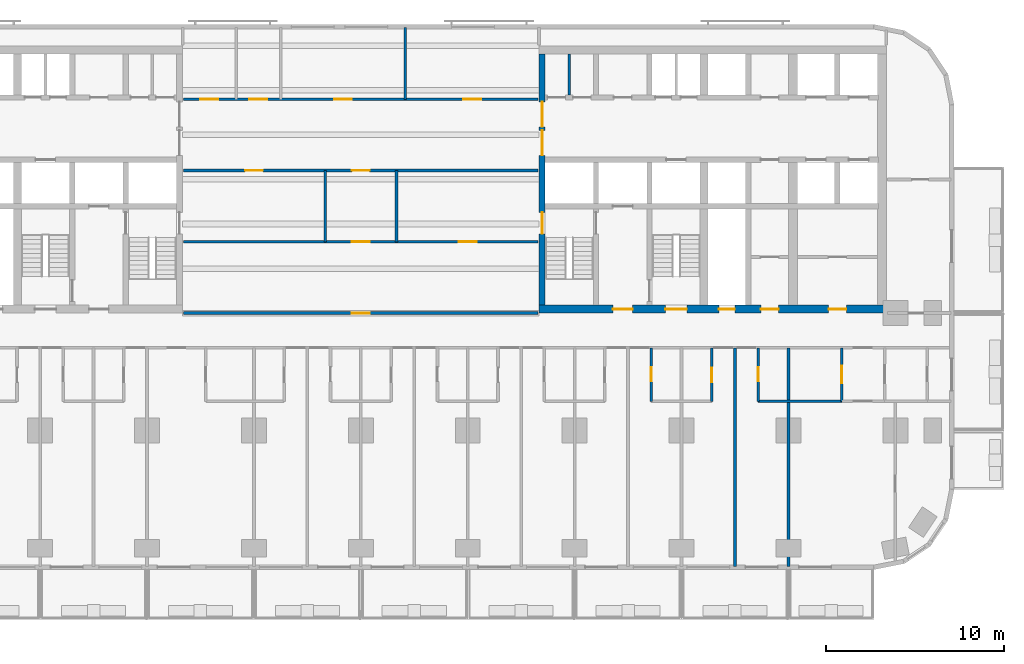
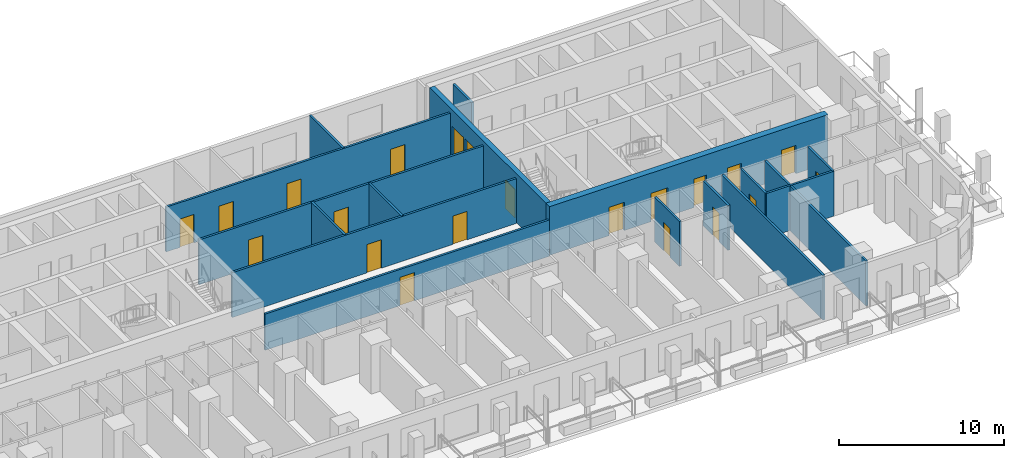
# One storey, part 7 of 15: 21 doors, 17 walls, 21 openings.
"""IFC4 building model written with IfcOpenShell, lengths in metres."""

import ifcopenshell
import ifcopenshell.guid

model = None  # the IFC model being written
_history = None  # IfcOwnerHistory: only IFC2X3 demands one
_inside = {}  # id of a spatial element -> (the spatial element, [elements in it])
_under = {}  # id of a project, library or spatial element -> (it, [spatial elements below it])
_declared = {}  # id of a project -> (the project, [libraries it declares])
_typed = {}  # id of a type object -> (the type object, [elements of that type])
_made_of = {}  # id of a material, layer set ... -> (it, [elements and type objects made of it])


def new_model(schema):
    """Start an empty IFC model of exactly this schema.

    Asked for "IFC4X3", IfcOpenShell would pick the latest addendum, in which some entities
    have other attributes; the version numbers below select the first issue.
    IFC2X3 requires an IfcOwnerHistory on every rooted entity: one is made here for all.
    """
    global model, _history
    if schema == "IFC4X3":
        model = ifcopenshell.file(schema_version=(4, 3, 0, 0))
    else:
        model = ifcopenshell.file(schema=schema)
    _inside.clear()
    _under.clear()
    _declared.clear()
    _typed.clear()
    _made_of.clear()
    _history = None
    if model.schema == "IFC2X3":
        org = make("IfcOrganization", Name="unknown")
        user = make(
            "IfcPersonAndOrganization",
            ThePerson=make("IfcPerson", FamilyName="unknown"),
            TheOrganization=org,
        )
        app = make(
            "IfcApplication",
            ApplicationDeveloper=org,
            Version="unknown",
            ApplicationFullName="unknown",
            ApplicationIdentifier="unknown",
        )
        _history = make(
            "IfcOwnerHistory",
            OwningUser=user,
            OwningApplication=app,
            ChangeAction="ADDED",
            CreationDate=0,
        )
    return model


def make(cls, **values):
    """One entity of the class cls with the attributes given. An attribute that is None is left unset."""
    return model.create_entity(
        cls, **{name: value for name, value in values.items() if value is not None}
    )


def rooted(cls, **values):
    """An entity with a GlobalId (a new one), such as an element, a storey or a relation."""
    return make(cls, GlobalId=ifcopenshell.guid.new(), OwnerHistory=_history, **values)


def si_unit(unit_type, name, prefix=None):
    """IfcSIUnit, for example si_unit("LENGTHUNIT", "METRE", prefix="MILLI")."""
    return make("IfcSIUnit", UnitType=unit_type, Prefix=prefix, Name=name)


def assignment(units):
    """IfcUnitAssignment: the units of a project."""
    return None if units is None else make("IfcUnitAssignment", Units=units)


def point(xyz):
    """IfcCartesianPoint."""
    return None if xyz is None else make("IfcCartesianPoint", Coordinates=xyz)


def direction(xyz):
    """IfcDirection."""
    return None if xyz is None else make("IfcDirection", DirectionRatios=xyz)


def frame(location, z_axis=None, x_axis=None):
    """IfcAxis2Placement3D, a coordinate frame: its origin and axes. An axis left out is left unset."""
    return make(
        "IfcAxis2Placement3D",
        Location=point(location),
        Axis=direction(z_axis),
        RefDirection=direction(x_axis),
    )


def frame_2d(location, x_axis=None):
    """IfcAxis2Placement2D, a coordinate frame in the plane: its origin and x axis."""
    return make(
        "IfcAxis2Placement2D", Location=point(location), RefDirection=direction(x_axis)
    )


def origin():
    """The frame at (0, 0, 0) with its axes left unset."""
    return frame((0.0, 0.0, 0.0))


def place(relative_to, where):
    """IfcLocalPlacement: puts the frame where relative to a parent placement (None: the world)."""
    return make(
        "IfcLocalPlacement", PlacementRelTo=relative_to, RelativePlacement=where
    )


def context(
    kind, dimensions, precision=None, world=None, true_north=None, identifier=None
):
    """IfcGeometricRepresentationContext, for example the 3D "Model" context."""
    return make(
        "IfcGeometricRepresentationContext",
        ContextIdentifier=identifier,
        ContextType=kind,
        CoordinateSpaceDimension=dimensions,
        Precision=precision,
        WorldCoordinateSystem=world,
        TrueNorth=true_north,
    )


def subcontext(parent, identifier, kind, view, scale=None):
    """IfcGeometricRepresentationSubContext, for example "Body" below "Model"."""
    return make(
        "IfcGeometricRepresentationSubContext",
        ContextIdentifier=identifier,
        ContextType=kind,
        ParentContext=parent,
        TargetScale=scale,
        TargetView=view,
    )


def project(units=None, contexts=None):
    """IfcProject with its units and contexts."""
    return rooted(
        "IfcProject",
        Name="project",
        RepresentationContexts=contexts,
        UnitsInContext=assignment(units),
    )


def spatial(cls, under=None, at=None, **own):
    """A site, building, storey or space (cls), placed at a placement, below another one or the project."""
    s = rooted(cls, ObjectPlacement=at, **own)
    if under is not None:
        _under.setdefault(under.id(), (under, []))[1].append(s)
    return s


def profile(cls, at=None, kind="AREA", **sizes):
    """A parametric profile (cls). Its sizes go by their IFC names, for example OverallWidth=200.0."""
    return make(cls, ProfileType=kind, Position=at, **sizes)


def rectangle(**sizes):
    """IfcRectangleProfileDef."""
    return profile("IfcRectangleProfileDef", **sizes)


def extrude(swept, where, along, depth):
    """IfcExtrudedAreaSolid: the profile swept, set in the frame where, extruded along a direction by depth."""
    return make(
        "IfcExtrudedAreaSolid",
        SweptArea=swept,
        Position=where,
        ExtrudedDirection=direction(along),
        Depth=depth,
    )


def shape(context_of_items, identifier, shape_type, items):
    """IfcShapeRepresentation: the items that make up one representation, for example the "Body"."""
    return make(
        "IfcShapeRepresentation",
        ContextOfItems=context_of_items,
        RepresentationIdentifier=identifier,
        RepresentationType=shape_type,
        Items=items,
    )


def material(Name=None, Category=None):
    """IfcMaterial."""
    return make("IfcMaterial", Name=Name, Category=Category)


def layer(
    of_material, thickness, ventilated=None, Name=None, Category=None, Priority=None
):
    """IfcMaterialLayer: one layer of a wall or slab, of a material (None: an air gap)."""
    return make(
        "IfcMaterialLayer",
        Material=of_material,
        LayerThickness=thickness,
        IsVentilated=ventilated,
        Name=Name,
        Category=Category,
        Priority=Priority,
    )


def layer_set(layers, Name=None):
    """IfcMaterialLayerSet."""
    return make("IfcMaterialLayerSet", MaterialLayers=layers, LayerSetName=Name)


def made_of(thing, what):
    """Note that an element or type object is made of a material, layer set ...; save() writes the relation."""
    if what is not None:
        _made_of.setdefault(what.id(), (what, []))[1].append(thing)
    return thing


def type_object(cls, material=None, **own):
    """A type object (cls), such as IfcWallType, which elements share."""
    return made_of(rooted(cls, **own), material)


def element(
    cls,
    number,
    at=None,
    inside=None,
    cuts=None,
    type_object=None,
    material=None,
    context=None,
    identifier="Body",
    shape_type=None,
    held_by="IfcProductDefinitionShape",
    body=None,
    shapes=None,
    **own,
):
    """One element of the class cls, such as IfcWall. Its Tag is "e" and its number.

    at: its placement. inside: the storey or other place that contains it. cuts: it is an
    opening in that element (IfcRelVoidsElement). A single representation is given by context,
    identifier, shape_type and body (its items); several are given by shapes. held_by: the class
    of the entity that holds the representations. save() writes the other relations.
    """
    e = rooted(cls, Tag="e%d" % number, ObjectPlacement=at, **own)
    if body is not None:
        shapes = [shape(context, identifier, shape_type, body)]
    if shapes is not None:
        e.Representation = make(held_by, Representations=shapes)
    if inside is not None:
        _inside.setdefault(inside.id(), (inside, []))[1].append(e)
    if cuts is not None:
        rooted(
            "IfcRelVoidsElement", RelatingBuildingElement=cuts, RelatedOpeningElement=e
        )
    if type_object is not None:
        _typed.setdefault(type_object.id(), (type_object, []))[1].append(e)
    return made_of(e, material)


def fill(opening, filler):
    """IfcRelFillsElement: the door or window that sits in an opening."""
    return rooted(
        "IfcRelFillsElement",
        RelatingOpeningElement=opening,
        RelatedBuildingElement=filler,
    )


def aggregate(whole, parts):
    """IfcRelAggregates: a whole, such as a stair, and the parts it consists of."""
    return rooted("IfcRelAggregates", RelatingObject=whole, RelatedObjects=parts)


def save(model, path):
    """Write the relations noted so far, then the file.

    IfcRelAggregates (storeys below a building ...), IfcRelContainedInSpatialStructure (elements
    in a storey), IfcRelDefinesByType, IfcRelAssociatesMaterial and IfcRelDeclares: one each for
    every whole, place, type object, material and project.
    """
    for whole, parts in _under.values():
        aggregate(whole, parts)
    for where, things in _inside.values():
        rooted(
            "IfcRelContainedInSpatialStructure",
            RelatedElements=things,
            RelatingStructure=where,
        )
    for kind, things in _typed.values():
        rooted("IfcRelDefinesByType", RelatedObjects=things, RelatingType=kind)
    for what, things in _made_of.values():
        rooted("IfcRelAssociatesMaterial", RelatedObjects=things, RelatingMaterial=what)
    for by, libraries in _declared.values():
        rooted("IfcRelDeclares", RelatingContext=by, RelatedDefinitions=libraries)
    model.write(path)


model = new_model("IFC4")

# Units and contexts
model_context = context("Model", 3, precision=1e-05, world=origin(), true_north=direction((0.0, 1.0)))
body_context = subcontext(model_context, "Body", "Model", "MODEL_VIEW")
ifc_project = project(units=[si_unit("LENGTHUNIT", "METRE"), si_unit("AREAUNIT", "SQUARE_METRE"), si_unit("VOLUMEUNIT", "CUBIC_METRE"), si_unit("PLANEANGLEUNIT", "RADIAN"), si_unit("MASSUNIT", "GRAM", prefix="KILO")], contexts=[model_context])

# Site, building, storey
site_placement = place(None, origin())
site = spatial("IfcSite", under=ifc_project, at=site_placement, CompositionType="ELEMENT")
building_placement = place(site_placement, origin())
building = spatial("IfcBuilding", under=site, at=building_placement, Name="Torana Hotel and Residences", CompositionType="ELEMENT")
storey_placement = place(building_placement, frame((0.0, 0.0, 27.60009765625)))
storey = spatial("IfcBuildingStorey", under=building, at=storey_placement, Name="L05", CompositionType="ELEMENT", Elevation=27.60009765625)

# Wall, openings, doors
ifc_material_1 = material(Name="Concrete C80/95", Category="concrete")
ifc_layer_1 = layer(ifc_material_1, 0.35009765625)
ifc_layer_set_1 = layer_set([ifc_layer_1], Name="CORE WALL 350 C80/95")
wall_type_1 = type_object("IfcWallType", Name="CORE WALL 350 C80/95", PredefinedType="SHEAR", material=ifc_layer_set_1)
wall_1_placement = place(storey_placement, frame((10.175048828125, -14.550048828125, 0.0), z_axis=(0.0, 0.0, 1.0), x_axis=(0.0, 1.0, 0.0)))
wall_1 = element("IfcWall", 1, at=wall_1_placement, inside=storey, type_object=wall_type_1, Name="Core wall E arch", PredefinedType="SHEAR", context=body_context, shape_type="SweptSolid", body=[
    extrude(rectangle(XDim=14.10009765625, YDim=0.35009765625, at=frame_2d((7.050048828125, 0.0))), origin(), (0.0, 0.0, 1.0), 3.599853515625),
])
opening_1_placement = place(wall_1_placement, frame((8.39990234375, 0.0, 0.0)))
opening_1 = element("IfcOpeningElement", 2, at=opening_1_placement, cuts=wall_1, Name="Opening L05-18", PredefinedType="OPENING", context=body_context, shape_type="SweptSolid", body=[
    extrude(rectangle(XDim=1.39990234375, YDim=2.39990234375, at=frame_2d((0.699951171875, 1.199951171875))), frame((0.0, 0.18505859375, 0.0), z_axis=(0.0, -1.0, 0.0), x_axis=(1.0, 0.0, 0.0)), (0.0, 0.0, 1.0), 0.3701171875),
])
opening_2_placement = place(wall_1_placement, frame((10.0, 0.0, 0.0)))
opening_2 = element("IfcOpeningElement", 3, at=opening_2_placement, cuts=wall_1, Name="Opening L05-19", PredefinedType="OPENING", context=body_context, shape_type="SweptSolid", body=[
    extrude(rectangle(XDim=1.39990234375, YDim=2.39990234375, at=frame_2d((0.699951171875, 1.199951171875))), frame((0.0, 0.18505859375, 0.0), z_axis=(0.0, -1.0, 0.0), x_axis=(1.0, 0.0, 0.0)), (0.0, 0.0, 1.0), 0.3701171875),
])
opening_3_placement = place(wall_1_placement, frame((4.0, 0.0, 0.0)))
opening_3 = element("IfcOpeningElement", 4, at=opening_3_placement, cuts=wall_1, Name="Opening L05-20", PredefinedType="OPENING", context=body_context, shape_type="SweptSolid", body=[
    extrude(rectangle(XDim=1.199951171875, YDim=2.10009765625, at=frame_2d((0.60009765625, 1.050048828125))), frame((0.0, 0.18505859375, 0.0), z_axis=(0.0, -1.0, 0.0), x_axis=(1.0, 0.0, 0.0)), (0.0, 0.0, 1.0), 0.3701171875),
])
ifc_material_2 = material(Name="Steel S235", Category="steel")
door_type_1 = type_object("IfcDoorType", Name="LOBBY FIRE DOOR D4 1400x2400", OperationType="DOUBLE_DOOR_SINGLE_SWING", PredefinedType="DOOR", material=ifc_material_2)
door_1_placement = place(opening_1_placement, origin())
door_1 = element("IfcDoor", 5, at=door_1_placement, inside=storey, type_object=door_type_1, Name="Lobby-1 door L05", OperationType="DOUBLE_DOOR_SINGLE_SWING", OverallHeight=2.39990234375, OverallWidth=1.39990234375, PredefinedType="DOOR", context=body_context, shape_type="SweptSolid", body=[
    extrude(rectangle(XDim=1.39990234375, YDim=2.39990234375, at=frame_2d((0.699951171875, 1.199951171875))), frame((0.0, 0.02490234375, 0.0), z_axis=(0.0, -1.0, 0.0), x_axis=(1.0, 0.0, 0.0)), (0.0, 0.0, 1.0), 0.050048828125),
])
fill(opening_1, door_1)
door_2_placement = place(opening_2_placement, origin())
door_2 = element("IfcDoor", 6, at=door_2_placement, inside=storey, type_object=door_type_1, Name="Lobby-2 door L05", OperationType="DOUBLE_DOOR_SINGLE_SWING", OverallHeight=2.39990234375, OverallWidth=1.39990234375, PredefinedType="DOOR", context=body_context, shape_type="SweptSolid", body=[
    extrude(rectangle(XDim=1.39990234375, YDim=2.39990234375, at=frame_2d((0.699951171875, 1.199951171875))), frame((0.0, 0.02490234375, 0.0), z_axis=(0.0, -1.0, 0.0), x_axis=(1.0, 0.0, 0.0)), (0.0, 0.0, 1.0), 0.050048828125),
])
fill(opening_2, door_2)
ifc_material_3 = material(Name="Steel S235", Category="steel")
door_type_2 = type_object("IfcDoorType", Name="STAIR FIRE DOOR D3 1200x2100", OperationType="SINGLE_SWING_LEFT", PredefinedType="DOOR", material=ifc_material_3)
door_3_placement = place(opening_3_placement, frame((0.60009765625, 0.0, 0.0), z_axis=(0.0, 0.0, 1.0), x_axis=(-1.0, 0.0, 0.0)))
door_3 = element("IfcDoor", 7, at=door_3_placement, inside=storey, type_object=door_type_2, Name="Stair-A door L05", OperationType="SINGLE_SWING_RIGHT", OverallHeight=2.10009765625, OverallWidth=1.199951171875, PredefinedType="DOOR", context=body_context, shape_type="SweptSolid", body=[
    extrude(rectangle(XDim=1.199951171875, YDim=2.10009765625, at=frame_2d((0.0, 1.050048828125))), frame((0.0, -0.02490234375, 0.0), z_axis=(0.0, 1.0, 0.0), x_axis=(-1.0, 0.0, 0.0)), (0.0, 0.0, 1.0), 0.050048828125),
])
fill(opening_3, door_3)

ifc_material_4 = material(Name="Concrete C80/95", Category="concrete")
ifc_layer_2 = layer(ifc_material_4, 0.449951171875)
ifc_layer_set_2 = layer_set([ifc_layer_2], Name="CORE WALL 450 C80/95")
wall_type_2 = type_object("IfcWallType", Name="CORE WALL 450 C80/95", PredefinedType="SHEAR", material=ifc_layer_set_2)
wall_2_placement = place(storey_placement, frame((10.0, -14.77490234375, 0.0), z_axis=(0.0, 0.0, 1.0), x_axis=(1.0, 0.0, 0.0)))
wall_2 = element("IfcWall", 8, at=wall_2_placement, inside=storey, type_object=wall_type_2, Name="Core wall E front", PredefinedType="SHEAR", context=body_context, shape_type="SweptSolid", body=[
    extrude(rectangle(XDim=19.5, YDim=0.449951171875, at=frame_2d((9.75, 0.0))), origin(), (0.0, 0.0, 1.0), 3.599853515625),
])
opening_4_placement = place(wall_2_placement, frame((7.10009765625, 0.0, 0.0)))
opening_4 = element("IfcOpeningElement", 9, at=opening_4_placement, cuts=wall_2, Name="Opening L05-21", PredefinedType="OPENING", context=body_context, shape_type="SweptSolid", body=[
    extrude(rectangle(XDim=1.199951171875, YDim=2.10009765625, at=frame_2d((0.60009765625, 1.050048828125))), frame((0.0, 0.23486328125, 0.0), z_axis=(0.0, -1.0, 0.0), x_axis=(1.0, 0.0, 0.0)), (0.0, 0.0, 1.0), 0.469970703125),
])
opening_5_placement = place(wall_2_placement, frame((4.14990234375, 0.0, 0.0)))
opening_5 = element("IfcOpeningElement", 10, at=opening_5_placement, cuts=wall_2, Name="Opening L05-22", PredefinedType="OPENING", context=body_context, shape_type="SweptSolid", body=[
    extrude(rectangle(XDim=1.10009765625, YDim=2.10009765625, at=frame_2d((0.550048828125, 1.050048828125))), frame((0.0, 0.23486328125, 0.0), z_axis=(0.0, -1.0, 0.0), x_axis=(1.0, 0.0, 0.0)), (0.0, 0.0, 1.0), 0.469970703125),
])
opening_6_placement = place(wall_2_placement, frame((10.10009765625, 0.0, 0.0)))
opening_6 = element("IfcOpeningElement", 11, at=opening_6_placement, cuts=wall_2, Name="Opening L05-23", PredefinedType="OPENING", context=body_context, shape_type="SweptSolid", body=[
    extrude(rectangle(XDim=0.89990234375, YDim=2.10009765625, at=frame_2d((0.449951171875, 1.050048828125))), frame((0.0, 0.23486328125, 0.0), z_axis=(0.0, -1.0, 0.0), x_axis=(1.0, 0.0, 0.0)), (0.0, 0.0, 1.0), 0.469970703125),
])
opening_7_placement = place(wall_2_placement, frame((12.449951171875, 0.0, 0.0)))
opening_7 = element("IfcOpeningElement", 12, at=opening_7_placement, cuts=wall_2, Name="Opening L05-24", PredefinedType="OPENING", context=body_context, shape_type="SweptSolid", body=[
    extrude(rectangle(XDim=1.0, YDim=2.10009765625, at=frame_2d((0.5, 1.050048828125))), frame((0.0, 0.23486328125, 0.0), z_axis=(0.0, -1.0, 0.0), x_axis=(1.0, 0.0, 0.0)), (0.0, 0.0, 1.0), 0.469970703125),
])
opening_8_placement = place(wall_2_placement, frame((16.25, 0.0, 0.0)))
opening_8 = element("IfcOpeningElement", 13, at=opening_8_placement, cuts=wall_2, Name="Opening L05-25", PredefinedType="OPENING", context=body_context, shape_type="SweptSolid", body=[
    extrude(rectangle(XDim=1.0, YDim=2.10009765625, at=frame_2d((0.5, 1.050048828125))), frame((0.0, 0.23486328125, 0.0), z_axis=(0.0, -1.0, 0.0), x_axis=(1.0, 0.0, 0.0)), (0.0, 0.0, 1.0), 0.469970703125),
])
ifc_material_5 = material(Name="Steel S235", Category="steel")
door_type_3 = type_object("IfcDoorType", Name="CORE ROOM FIRE DOOR D14 1000x2100", OperationType="SINGLE_SWING_LEFT", PredefinedType="DOOR", material=ifc_material_5)
door_4_placement = place(opening_7_placement, origin())
door_4 = element("IfcDoor", 14, at=door_4_placement, inside=storey, type_object=door_type_3, Name="M-Room-B door L05", OperationType="SINGLE_SWING_RIGHT", OverallHeight=2.10009765625, OverallWidth=1.0, PredefinedType="DOOR", context=body_context, shape_type="SweptSolid", body=[
    extrude(rectangle(XDim=1.0, YDim=2.10009765625, at=frame_2d((0.5, 1.050048828125))), frame((0.0, 0.02490234375, 0.0), z_axis=(0.0, -1.0, 0.0), x_axis=(1.0, 0.0, 0.0)), (0.0, 0.0, 1.0), 0.050048828125),
])
fill(opening_7, door_4)
door_5_placement = place(opening_8_placement, origin())
door_5 = element("IfcDoor", 15, at=door_5_placement, inside=storey, type_object=door_type_3, Name="L-B door L05", OperationType="SINGLE_SWING_RIGHT", OverallHeight=2.10009765625, OverallWidth=1.0, PredefinedType="DOOR", context=body_context, shape_type="SweptSolid", body=[
    extrude(rectangle(XDim=1.0, YDim=2.10009765625, at=frame_2d((0.5, 1.050048828125))), frame((0.0, 0.02490234375, 0.0), z_axis=(0.0, -1.0, 0.0), x_axis=(1.0, 0.0, 0.0)), (0.0, 0.0, 1.0), 0.050048828125),
])
fill(opening_8, door_5)
ifc_material_6 = material(Name="Steel S235", Category="steel")
door_type_4 = type_object("IfcDoorType", Name="FIRE-FIGHTING LOBBY DOOR D8 1100x2100", OperationType="SINGLE_SWING_LEFT", PredefinedType="DOOR", material=ifc_material_6)
door_6_placement = place(opening_5_placement, origin())
door_6 = element("IfcDoor", 16, at=door_6_placement, inside=storey, type_object=door_type_4, Name="FF-lobby door L05", OperationType="SINGLE_SWING_RIGHT", OverallHeight=2.10009765625, OverallWidth=1.10009765625, PredefinedType="DOOR", context=body_context, shape_type="SweptSolid", body=[
    extrude(rectangle(XDim=1.10009765625, YDim=2.10009765625, at=frame_2d((0.550048828125, 1.050048828125))), frame((0.0, 0.02490234375, 0.0), z_axis=(0.0, -1.0, 0.0), x_axis=(1.0, 0.0, 0.0)), (0.0, 0.0, 1.0), 0.050048828125),
])
fill(opening_5, door_6)
ifc_material_7 = material(Name="Steel S235", Category="steel")
door_type_5 = type_object("IfcDoorType", Name="RISER ACCESS DOOR D5 900x2100", OperationType="SINGLE_SWING_LEFT", PredefinedType="DOOR", material=ifc_material_7)
door_7_placement = place(opening_6_placement, origin())
door_7 = element("IfcDoor", 17, at=door_7_placement, inside=storey, type_object=door_type_5, Name="M-Riser door L05", OperationType="SINGLE_SWING_RIGHT", OverallHeight=2.10009765625, OverallWidth=0.89990234375, PredefinedType="DOOR", context=body_context, shape_type="SweptSolid", body=[
    extrude(rectangle(XDim=0.89990234375, YDim=2.10009765625, at=frame_2d((0.449951171875, 1.050048828125))), frame((0.0, 0.02490234375, 0.0), z_axis=(0.0, -1.0, 0.0), x_axis=(1.0, 0.0, 0.0)), (0.0, 0.0, 1.0), 0.050048828125),
])
fill(opening_6, door_7)
door_8_placement = place(opening_4_placement, origin())
door_8 = element("IfcDoor", 18, at=door_8_placement, inside=storey, type_object=door_type_2, Name="Stair-B door L05", OperationType="SINGLE_SWING_RIGHT", OverallHeight=2.10009765625, OverallWidth=1.199951171875, PredefinedType="DOOR", context=body_context, shape_type="SweptSolid", body=[
    extrude(rectangle(XDim=1.199951171875, YDim=2.10009765625, at=frame_2d((0.60009765625, 1.050048828125))), frame((0.0, 0.02490234375, 0.0), z_axis=(0.0, -1.0, 0.0), x_axis=(1.0, 0.0, 0.0)), (0.0, 0.0, 1.0), 0.050048828125),
])
fill(opening_4, door_8)

# Wall
ifc_material_8 = material(Name="Gypsum plaster")
ifc_layer_3 = layer(ifc_material_8, 0.014892578125, Name="Plaster", Category="finish")
ifc_material_9 = material(Name="Concrete blockwork", Category="masonry")
ifc_layer_4 = layer(ifc_material_9, 0.1201171875, Name="Blockwork", Category="structure")
ifc_layer_5 = layer(ifc_material_8, 0.014892578125, Name="Plaster", Category="finish")
ifc_layer_set_3 = layer_set([ifc_layer_3, ifc_layer_4, ifc_layer_5], Name="FIRE PARTITION 150 BLOCKWORK")
wall_type_3 = type_object("IfcWallType", Name="FIRE PARTITION 150 BLOCKWORK", PredefinedType="PARTITIONING", material=ifc_layer_set_3)
wall_3_placement = place(storey_placement, frame((11.699951171875, -2.75, 0.0), z_axis=(0.0, 0.0, 1.0), x_axis=(0.0, 1.0, 0.0)))
element("IfcWall", 19, at=wall_3_placement, inside=storey, type_object=wall_type_3, Name="Core partition L05", PredefinedType="PARTITIONING", context=body_context, shape_type="SweptSolid", body=[
    extrude(rectangle(XDim=2.300048828125, YDim=0.14990234375, at=frame_2d((1.14990234375, 0.0))), origin(), (0.0, 0.0, 1.0), 3.2998046875),
])

# Wall, opening, door
wall_4_placement = place(storey_placement, frame((27.0, -19.949951171875, 0.0), z_axis=(0.0, 0.0, 1.0), x_axis=(0.0, 1.0, 0.0)))
wall_4 = element("IfcWall", 20, at=wall_4_placement, inside=storey, type_object=wall_type_3, Name="Partition L05", PredefinedType="PARTITIONING", context=body_context, shape_type="SweptSolid", body=[
    extrude(rectangle(XDim=3.0, YDim=0.14990234375, at=frame_2d((1.5, 0.0))), origin(), (0.0, 0.0, 1.0), 3.31982421875),
])
opening_9_placement = place(wall_4_placement, frame((1.0, 0.0, 0.0)))
opening_9 = element("IfcOpeningElement", 21, at=opening_9_placement, cuts=wall_4, Name="Opening L05-87", PredefinedType="OPENING", context=body_context, shape_type="SweptSolid", body=[
    extrude(rectangle(XDim=1.0, YDim=2.10009765625, at=frame_2d((0.5, 1.050048828125))), frame((0.0, 0.0849609375, 0.0), z_axis=(0.0, -1.0, 0.0), x_axis=(1.0, 0.0, 0.0)), (0.0, 0.0, 1.0), 0.169921875),
])
ifc_material_10 = material(Name="Steel S235", Category="steel")
door_type_6 = type_object("IfcDoorType", Name="ENTRY FIRE DOOR D6 1000x2100", OperationType="SINGLE_SWING_LEFT", PredefinedType="DOOR", material=ifc_material_10)
door_9_placement = place(opening_9_placement, origin())
door_9 = element("IfcDoor", 22, at=door_9_placement, inside=storey, type_object=door_type_6, Name="Door L05", OperationType="SINGLE_SWING_RIGHT", OverallHeight=2.10009765625, OverallWidth=1.0, PredefinedType="DOOR", context=body_context, shape_type="SweptSolid", body=[
    extrude(rectangle(XDim=1.0, YDim=2.10009765625, at=frame_2d((0.5, 1.050048828125))), frame((0.0, 0.02490234375, 0.0), z_axis=(0.0, -1.0, 0.0), x_axis=(1.0, 0.0, 0.0)), (0.0, 0.0, 1.0), 0.050048828125),
])
fill(opening_9, door_9)

# Walls
for number, where, z_axis, x_axis, name in (
    (23, (2.0, -11.0, 0.0), (0.0, 0.0, 1.0), (0.0, 1.0, 0.0), "Partition L05"),
    (24, (-2.0, -11.0, 0.0), (0.0, 0.0, 1.0), (0.0, 1.0, 0.0), "Partition L05"),
):
    element("IfcWall", number, at=place(storey_placement, frame(where, z_axis=z_axis, x_axis=x_axis)), inside=storey, type_object=wall_type_3, Name=name, PredefinedType="PARTITIONING", context=body_context, shape_type="SweptSolid", body=[
        extrude(rectangle(XDim=4.0, YDim=0.14990234375, at=frame_2d((2.0, 0.0))), origin(), (0.0, 0.0, 1.0), 3.31982421875),
    ])

# Wall, opening, door
wall_5_placement = place(storey_placement, frame((-9.949951171875, -15.0, 0.0), z_axis=(0.0, 0.0, 1.0), x_axis=(1.0, 0.0, 0.0)))
wall_5 = element("IfcWall", 25, at=wall_5_placement, inside=storey, type_object=wall_type_3, Name="Partition L05", PredefinedType="PARTITIONING", context=body_context, shape_type="SweptSolid", body=[
    extrude(rectangle(XDim=19.89990234375, YDim=0.14990234375, at=frame_2d((9.949951171875, 0.0))), origin(), (0.0, 0.0, 1.0), 2.683837890625),
])
opening_10_placement = place(wall_5_placement, frame((9.449951171875, 0.0, 0.0)))
opening_10 = element("IfcOpeningElement", 26, at=opening_10_placement, cuts=wall_5, Name="Opening L05-39", PredefinedType="OPENING", context=body_context, shape_type="SweptSolid", body=[
    extrude(rectangle(XDim=1.0, YDim=2.10009765625, at=frame_2d((0.5, 1.050048828125))), frame((0.0, 0.0849609375, 0.0), z_axis=(0.0, -1.0, 0.0), x_axis=(1.0, 0.0, 0.0)), (0.0, 0.0, 1.0), 0.169921875),
])
door_10_placement = place(opening_10_placement, origin())
door_10 = element("IfcDoor", 27, at=door_10_placement, inside=storey, type_object=door_type_6, Name="Door L05", OperationType="SINGLE_SWING_RIGHT", OverallHeight=2.10009765625, OverallWidth=1.0, PredefinedType="DOOR", context=body_context, shape_type="SweptSolid", body=[
    extrude(rectangle(XDim=1.0, YDim=2.10009765625, at=frame_2d((0.5, 1.050048828125))), frame((0.0, 0.02490234375, 0.0), z_axis=(0.0, -1.0, 0.0), x_axis=(1.0, 0.0, 0.0)), (0.0, 0.0, 1.0), 0.050048828125),
])
fill(opening_10, door_10)

# Wall, openings, doors
wall_6_placement = place(storey_placement, frame((-9.949951171875, -11.0, 0.0), z_axis=(0.0, 0.0, 1.0), x_axis=(1.0, 0.0, 0.0)))
wall_6 = element("IfcWall", 28, at=wall_6_placement, inside=storey, type_object=wall_type_3, Name="Partition L05", PredefinedType="PARTITIONING", context=body_context, shape_type="SweptSolid", body=[
    extrude(rectangle(XDim=19.89990234375, YDim=0.14990234375, at=frame_2d((9.949951171875, 0.0))), origin(), (0.0, 0.0, 1.0), 3.31982421875),
])
opening_11_placement = place(wall_6_placement, frame((9.449951171875, 0.0, 0.0)))
opening_11 = element("IfcOpeningElement", 29, at=opening_11_placement, cuts=wall_6, Name="Opening L05-59", PredefinedType="OPENING", context=body_context, shape_type="SweptSolid", body=[
    extrude(rectangle(XDim=1.0, YDim=2.10009765625, at=frame_2d((0.5, 1.050048828125))), frame((0.0, 0.0849609375, 0.0), z_axis=(0.0, -1.0, 0.0), x_axis=(1.0, 0.0, 0.0)), (0.0, 0.0, 1.0), 0.169921875),
])
opening_12_placement = place(wall_6_placement, frame((15.449951171875, 0.0, 0.0)))
opening_12 = element("IfcOpeningElement", 30, at=opening_12_placement, cuts=wall_6, Name="Opening L05-60", PredefinedType="OPENING", context=body_context, shape_type="SweptSolid", body=[
    extrude(rectangle(XDim=1.0, YDim=2.10009765625, at=frame_2d((0.5, 1.050048828125))), frame((0.0, 0.0849609375, 0.0), z_axis=(0.0, -1.0, 0.0), x_axis=(1.0, 0.0, 0.0)), (0.0, 0.0, 1.0), 0.169921875),
])
door_11_placement = place(opening_11_placement, origin())
door_11 = element("IfcDoor", 31, at=door_11_placement, inside=storey, type_object=door_type_6, Name="Door L05", OperationType="SINGLE_SWING_RIGHT", OverallHeight=2.10009765625, OverallWidth=1.0, PredefinedType="DOOR", context=body_context, shape_type="SweptSolid", body=[
    extrude(rectangle(XDim=1.0, YDim=2.10009765625, at=frame_2d((0.5, 1.050048828125))), frame((0.0, 0.02490234375, 0.0), z_axis=(0.0, -1.0, 0.0), x_axis=(1.0, 0.0, 0.0)), (0.0, 0.0, 1.0), 0.050048828125),
])
fill(opening_11, door_11)
door_12_placement = place(opening_12_placement, origin())
door_12 = element("IfcDoor", 32, at=door_12_placement, inside=storey, type_object=door_type_6, Name="Door L05", OperationType="SINGLE_SWING_RIGHT", OverallHeight=2.10009765625, OverallWidth=1.0, PredefinedType="DOOR", context=body_context, shape_type="SweptSolid", body=[
    extrude(rectangle(XDim=1.0, YDim=2.10009765625, at=frame_2d((0.5, 1.050048828125))), frame((0.0, 0.02490234375, 0.0), z_axis=(0.0, -1.0, 0.0), x_axis=(1.0, 0.0, 0.0)), (0.0, 0.0, 1.0), 0.050048828125),
])
fill(opening_12, door_12)

wall_7_placement = place(storey_placement, frame((-9.949951171875, -7.0, 0.0), z_axis=(0.0, 0.0, 1.0), x_axis=(1.0, 0.0, 0.0)))
wall_7 = element("IfcWall", 33, at=wall_7_placement, inside=storey, type_object=wall_type_3, Name="Partition L05", PredefinedType="PARTITIONING", context=body_context, shape_type="SweptSolid", body=[
    extrude(rectangle(XDim=19.89990234375, YDim=0.14990234375, at=frame_2d((9.949951171875, 0.0))), origin(), (0.0, 0.0, 1.0), 3.31982421875),
])
opening_13_placement = place(wall_7_placement, frame((9.449951171875, 0.0, 0.0)))
opening_13 = element("IfcOpeningElement", 34, at=opening_13_placement, cuts=wall_7, Name="Opening L05-61", PredefinedType="OPENING", context=body_context, shape_type="SweptSolid", body=[
    extrude(rectangle(XDim=1.0, YDim=2.10009765625, at=frame_2d((0.5, 1.050048828125))), frame((0.0, 0.0849609375, 0.0), z_axis=(0.0, -1.0, 0.0), x_axis=(1.0, 0.0, 0.0)), (0.0, 0.0, 1.0), 0.169921875),
])
opening_14_placement = place(wall_7_placement, frame((3.449951171875, 0.0, 0.0)))
opening_14 = element("IfcOpeningElement", 35, at=opening_14_placement, cuts=wall_7, Name="Opening L05-62", PredefinedType="OPENING", context=body_context, shape_type="SweptSolid", body=[
    extrude(rectangle(XDim=1.0, YDim=2.10009765625, at=frame_2d((0.5, 1.050048828125))), frame((0.0, 0.0849609375, 0.0), z_axis=(0.0, -1.0, 0.0), x_axis=(1.0, 0.0, 0.0)), (0.0, 0.0, 1.0), 0.169921875),
])
door_13_placement = place(opening_13_placement, origin())
door_13 = element("IfcDoor", 36, at=door_13_placement, inside=storey, type_object=door_type_6, Name="Door L05", OperationType="SINGLE_SWING_RIGHT", OverallHeight=2.10009765625, OverallWidth=1.0, PredefinedType="DOOR", context=body_context, shape_type="SweptSolid", body=[
    extrude(rectangle(XDim=1.0, YDim=2.10009765625, at=frame_2d((0.5, 1.050048828125))), frame((0.0, 0.02490234375, 0.0), z_axis=(0.0, -1.0, 0.0), x_axis=(1.0, 0.0, 0.0)), (0.0, 0.0, 1.0), 0.050048828125),
])
fill(opening_13, door_13)
door_14_placement = place(opening_14_placement, frame((0.5, 0.0, 0.0), z_axis=(0.0, 0.0, 1.0), x_axis=(-1.0, 0.0, 0.0)))
door_14 = element("IfcDoor", 37, at=door_14_placement, inside=storey, type_object=door_type_6, Name="Door L05", OperationType="SINGLE_SWING_LEFT", OverallHeight=2.10009765625, OverallWidth=1.0, PredefinedType="DOOR", context=body_context, shape_type="SweptSolid", body=[
    extrude(rectangle(XDim=1.0, YDim=2.10009765625, at=frame_2d((0.0, 1.050048828125))), frame((0.0, -0.02490234375, 0.0), z_axis=(0.0, 1.0, 0.0), x_axis=(-1.0, 0.0, 0.0)), (0.0, 0.0, 1.0), 0.050048828125),
])
fill(opening_14, door_14)

wall_8_placement = place(storey_placement, frame((-9.949951171875, -3.0, 0.0), z_axis=(0.0, 0.0, 1.0), x_axis=(1.0, 0.0, 0.0)))
wall_8 = element("IfcWall", 38, at=wall_8_placement, inside=storey, type_object=wall_type_3, Name="Partition L05", PredefinedType="PARTITIONING", context=body_context, shape_type="SweptSolid", body=[
    extrude(rectangle(XDim=19.89990234375, YDim=0.14990234375, at=frame_2d((9.949951171875, 0.0))), origin(), (0.0, 0.0, 1.0), 3.31982421875),
])
opening_15_placement = place(wall_8_placement, frame((0.949951171875, 0.0, 0.0)))
opening_15 = element("IfcOpeningElement", 39, at=opening_15_placement, cuts=wall_8, Name="Opening L05-63", PredefinedType="OPENING", context=body_context, shape_type="SweptSolid", body=[
    extrude(rectangle(XDim=1.0, YDim=2.10009765625, at=frame_2d((0.5, 1.050048828125))), frame((0.0, 0.0849609375, 0.0), z_axis=(0.0, -1.0, 0.0), x_axis=(1.0, 0.0, 0.0)), (0.0, 0.0, 1.0), 0.169921875),
])
opening_16_placement = place(wall_8_placement, frame((3.699951171875, 0.0, 0.0)))
opening_16 = element("IfcOpeningElement", 40, at=opening_16_placement, cuts=wall_8, Name="Opening L05-64", PredefinedType="OPENING", context=body_context, shape_type="SweptSolid", body=[
    extrude(rectangle(XDim=1.0, YDim=2.10009765625, at=frame_2d((0.5, 1.050048828125))), frame((0.0, 0.0849609375, 0.0), z_axis=(0.0, -1.0, 0.0), x_axis=(1.0, 0.0, 0.0)), (0.0, 0.0, 1.0), 0.169921875),
])
opening_17_placement = place(wall_8_placement, frame((8.449951171875, 0.0, 0.0)))
opening_17 = element("IfcOpeningElement", 41, at=opening_17_placement, cuts=wall_8, Name="Opening L05-65", PredefinedType="OPENING", context=body_context, shape_type="SweptSolid", body=[
    extrude(rectangle(XDim=1.0, YDim=2.10009765625, at=frame_2d((0.5, 1.050048828125))), frame((0.0, 0.0849609375, 0.0), z_axis=(0.0, -1.0, 0.0), x_axis=(1.0, 0.0, 0.0)), (0.0, 0.0, 1.0), 0.169921875),
])
opening_18_placement = place(wall_8_placement, frame((15.699951171875, 0.0, 0.0)))
opening_18 = element("IfcOpeningElement", 42, at=opening_18_placement, cuts=wall_8, Name="Opening L05-66", PredefinedType="OPENING", context=body_context, shape_type="SweptSolid", body=[
    extrude(rectangle(XDim=1.0, YDim=2.10009765625, at=frame_2d((0.5, 1.050048828125))), frame((0.0, 0.0849609375, 0.0), z_axis=(0.0, -1.0, 0.0), x_axis=(1.0, 0.0, 0.0)), (0.0, 0.0, 1.0), 0.169921875),
])
door_15_placement = place(opening_15_placement, origin())
door_15 = element("IfcDoor", 43, at=door_15_placement, inside=storey, type_object=door_type_6, Name="Door L05", OperationType="SINGLE_SWING_RIGHT", OverallHeight=2.10009765625, OverallWidth=1.0, PredefinedType="DOOR", context=body_context, shape_type="SweptSolid", body=[
    extrude(rectangle(XDim=1.0, YDim=2.10009765625, at=frame_2d((0.5, 1.050048828125))), frame((0.0, 0.02490234375, 0.0), z_axis=(0.0, -1.0, 0.0), x_axis=(1.0, 0.0, 0.0)), (0.0, 0.0, 1.0), 0.050048828125),
])
fill(opening_15, door_15)
door_16_placement = place(opening_16_placement, origin())
door_16 = element("IfcDoor", 44, at=door_16_placement, inside=storey, type_object=door_type_6, Name="Door L05", OperationType="SINGLE_SWING_RIGHT", OverallHeight=2.10009765625, OverallWidth=1.0, PredefinedType="DOOR", context=body_context, shape_type="SweptSolid", body=[
    extrude(rectangle(XDim=1.0, YDim=2.10009765625, at=frame_2d((0.5, 1.050048828125))), frame((0.0, 0.02490234375, 0.0), z_axis=(0.0, -1.0, 0.0), x_axis=(1.0, 0.0, 0.0)), (0.0, 0.0, 1.0), 0.050048828125),
])
fill(opening_16, door_16)
door_17_placement = place(opening_17_placement, origin())
door_17 = element("IfcDoor", 45, at=door_17_placement, inside=storey, type_object=door_type_6, Name="Door L05", OperationType="SINGLE_SWING_RIGHT", OverallHeight=2.10009765625, OverallWidth=1.0, PredefinedType="DOOR", context=body_context, shape_type="SweptSolid", body=[
    extrude(rectangle(XDim=1.0, YDim=2.10009765625, at=frame_2d((0.5, 1.050048828125))), frame((0.0, 0.02490234375, 0.0), z_axis=(0.0, -1.0, 0.0), x_axis=(1.0, 0.0, 0.0)), (0.0, 0.0, 1.0), 0.050048828125),
])
fill(opening_17, door_17)
door_18_placement = place(opening_18_placement, origin())
door_18 = element("IfcDoor", 46, at=door_18_placement, inside=storey, type_object=door_type_6, Name="Door L05", OperationType="SINGLE_SWING_RIGHT", OverallHeight=2.10009765625, OverallWidth=1.0, PredefinedType="DOOR", context=body_context, shape_type="SweptSolid", body=[
    extrude(rectangle(XDim=1.0, YDim=2.10009765625, at=frame_2d((0.5, 1.050048828125))), frame((0.0, 0.02490234375, 0.0), z_axis=(0.0, -1.0, 0.0), x_axis=(1.0, 0.0, 0.0)), (0.0, 0.0, 1.0), 0.050048828125),
])
fill(opening_18, door_18)

# Wall
ifc_material_11 = material(Name="Gypsum plasterboard")
ifc_layer_6 = layer(ifc_material_11, 0.012451171875, Name="Plasterboard", Category="finish")
ifc_layer_7 = layer(ifc_material_11, 0.012451171875, Name="Plasterboard", Category="finish")
ifc_material_12 = material(Name="Steel S280GD", Category="steel")
ifc_layer_8 = layer(ifc_material_12, 0.10009765625, Name="Steel studs with mineral wool", Category="insulation")
ifc_layer_9 = layer(ifc_material_11, 0.012451171875, Name="Plasterboard", Category="finish")
ifc_layer_10 = layer(ifc_material_11, 0.012451171875, Name="Plasterboard", Category="finish")
ifc_layer_set_4 = layer_set([ifc_layer_6, ifc_layer_7, ifc_layer_8, ifc_layer_9, ifc_layer_10], Name="PARTITION 150 PLASTERBOARD")
wall_type_4 = type_object("IfcWallType", Name="PARTITION 150 PLASTERBOARD", PredefinedType="PARTITIONING", material=ifc_layer_set_4)
wall_9_placement = place(storey_placement, frame((24.0, -29.219970703125, 0.0), z_axis=(0.0, 0.0, 1.0), x_axis=(0.0, 1.0, 0.0)))
element("IfcWall", 47, at=wall_9_placement, inside=storey, type_object=wall_type_4, Name="Partition L05", PredefinedType="PARTITIONING", context=body_context, shape_type="SweptSolid", body=[
    extrude(rectangle(XDim=12.27001953125, YDim=0.14990234375, at=frame_2d((6.135009765625, 0.0))), origin(), (0.0, 0.0, 1.0), 3.31982421875),
])

# Wall, opening, door
wall_10_placement = place(storey_placement, frame((22.300048828125, -19.949951171875, 0.0), z_axis=(0.0, 0.0, 1.0), x_axis=(0.0, 1.0, 0.0)))
wall_10 = element("IfcWall", 48, at=wall_10_placement, inside=storey, type_object=wall_type_4, Name="Partition L05", PredefinedType="PARTITIONING", context=body_context, shape_type="SweptSolid", body=[
    extrude(rectangle(XDim=3.0, YDim=0.14990234375, at=frame_2d((1.5, 0.0))), origin(), (0.0, 0.0, 1.0), 3.31982421875),
])
opening_19_placement = place(wall_10_placement, frame((1.1201171875, 0.0, 0.0)))
opening_19 = element("IfcOpeningElement", 49, at=opening_19_placement, cuts=wall_10, Name="Opening L05-81", PredefinedType="OPENING", context=body_context, shape_type="SweptSolid", body=[
    extrude(rectangle(XDim=0.800048828125, YDim=2.10009765625, at=frame_2d((0.39990234375, 1.050048828125))), frame((0.0, 0.0849609375, 0.0), z_axis=(0.0, -1.0, 0.0), x_axis=(1.0, 0.0, 0.0)), (0.0, 0.0, 1.0), 0.169921875),
])
ifc_material_13 = material(Name="Timber door, painted", Category="wood")
door_type_7 = type_object("IfcDoorType", Name="BATH DOOR D13 800x2100", OperationType="SINGLE_SWING_LEFT", PredefinedType="DOOR", material=ifc_material_13)
door_19_placement = place(opening_19_placement, origin())
door_19 = element("IfcDoor", 50, at=door_19_placement, inside=storey, type_object=door_type_7, Name="Door L05", OperationType="SINGLE_SWING_LEFT", OverallHeight=2.10009765625, OverallWidth=0.800048828125, PredefinedType="DOOR", context=body_context, shape_type="SweptSolid", body=[
    extrude(rectangle(XDim=0.800048828125, YDim=2.10009765625, at=frame_2d((0.39990234375, 1.050048828125))), frame((0.0, 0.02490234375, 0.0), z_axis=(0.0, -1.0, 0.0), x_axis=(1.0, 0.0, 0.0)), (0.0, 0.0, 1.0), 0.050048828125),
])
fill(opening_19, door_19)

# Wall
wall_11_placement = place(storey_placement, frame((21.0, -29.219970703125, 0.0), z_axis=(0.0, 0.0, 1.0), x_axis=(0.0, 1.0, 0.0)))
element("IfcWall", 51, at=wall_11_placement, inside=storey, type_object=wall_type_4, Name="Partition L05", PredefinedType="PARTITIONING", context=body_context, shape_type="SweptSolid", body=[
    extrude(rectangle(XDim=12.27001953125, YDim=0.14990234375, at=frame_2d((6.135009765625, 0.0))), origin(), (0.0, 0.0, 1.0), 3.31982421875),
])

# Wall, opening, door
wall_12_placement = place(storey_placement, frame((19.699951171875, -19.949951171875, 0.0), z_axis=(0.0, 0.0, 1.0), x_axis=(0.0, 1.0, 0.0)))
wall_12 = element("IfcWall", 52, at=wall_12_placement, inside=storey, type_object=wall_type_4, Name="Partition L05", PredefinedType="PARTITIONING", context=body_context, shape_type="SweptSolid", body=[
    extrude(rectangle(XDim=3.0, YDim=0.14990234375, at=frame_2d((1.5, 0.0))), origin(), (0.0, 0.0, 1.0), 3.31982421875),
])
opening_20_placement = place(wall_12_placement, frame((1.080078125, 0.0, 0.0)))
opening_20 = element("IfcOpeningElement", 53, at=opening_20_placement, cuts=wall_12, Name="Opening L05-80", PredefinedType="OPENING", context=body_context, shape_type="SweptSolid", body=[
    extrude(rectangle(XDim=0.800048828125, YDim=2.10009765625, at=frame_2d((0.39990234375, 1.050048828125))), frame((0.0, 0.0849609375, 0.0), z_axis=(0.0, -1.0, 0.0), x_axis=(1.0, 0.0, 0.0)), (0.0, 0.0, 1.0), 0.169921875),
])
door_20_placement = place(opening_20_placement, origin())
door_20 = element("IfcDoor", 54, at=door_20_placement, inside=storey, type_object=door_type_7, Name="Door L05", OperationType="SINGLE_SWING_RIGHT", OverallHeight=2.10009765625, OverallWidth=0.800048828125, PredefinedType="DOOR", context=body_context, shape_type="SweptSolid", body=[
    extrude(rectangle(XDim=0.800048828125, YDim=2.10009765625, at=frame_2d((0.39990234375, 1.050048828125))), frame((0.0, 0.02490234375, 0.0), z_axis=(0.0, -1.0, 0.0), x_axis=(1.0, 0.0, 0.0)), (0.0, 0.0, 1.0), 0.050048828125),
])
fill(opening_20, door_20)

wall_13_placement = place(storey_placement, frame((16.300048828125, -19.949951171875, 0.0), z_axis=(0.0, 0.0, 1.0), x_axis=(0.0, 1.0, 0.0)))
wall_13 = element("IfcWall", 55, at=wall_13_placement, inside=storey, type_object=wall_type_4, Name="Partition L05", PredefinedType="PARTITIONING", context=body_context, shape_type="SweptSolid", body=[
    extrude(rectangle(XDim=3.0, YDim=0.14990234375, at=frame_2d((1.5, 0.0))), origin(), (0.0, 0.0, 1.0), 3.31982421875),
])
opening_21_placement = place(wall_13_placement, frame((1.1201171875, 0.0, 0.0)))
opening_21 = element("IfcOpeningElement", 56, at=opening_21_placement, cuts=wall_13, Name="Opening L05-79", PredefinedType="OPENING", context=body_context, shape_type="SweptSolid", body=[
    extrude(rectangle(XDim=0.800048828125, YDim=2.10009765625, at=frame_2d((0.39990234375, 1.050048828125))), frame((0.0, 0.0849609375, 0.0), z_axis=(0.0, -1.0, 0.0), x_axis=(1.0, 0.0, 0.0)), (0.0, 0.0, 1.0), 0.169921875),
])
door_21_placement = place(opening_21_placement, origin())
door_21 = element("IfcDoor", 57, at=door_21_placement, inside=storey, type_object=door_type_7, Name="Door L05", OperationType="SINGLE_SWING_LEFT", OverallHeight=2.10009765625, OverallWidth=0.800048828125, PredefinedType="DOOR", context=body_context, shape_type="SweptSolid", body=[
    extrude(rectangle(XDim=0.800048828125, YDim=2.10009765625, at=frame_2d((0.39990234375, 1.050048828125))), frame((0.0, 0.02490234375, 0.0), z_axis=(0.0, -1.0, 0.0), x_axis=(1.0, 0.0, 0.0)), (0.0, 0.0, 1.0), 0.050048828125),
])
fill(opening_21, door_21)

# Walls
wall_14_placement = place(storey_placement, frame((2.5, -3.0, 0.0), z_axis=(0.0, 0.0, 1.0), x_axis=(0.0, 1.0, 0.0)))
element("IfcWall", 58, at=wall_14_placement, inside=storey, type_object=wall_type_4, Name="Partition L05", PredefinedType="PARTITIONING", context=body_context, shape_type="SweptSolid", body=[
    extrude(rectangle(XDim=4.02001953125, YDim=0.14990234375, at=frame_2d((2.010009765625, 0.0))), origin(), (0.0, 0.0, 1.0), 3.31982421875),
])
wall_15_placement = place(storey_placement, frame((22.300048828125, -19.949951171875, 0.0), z_axis=(0.0, 0.0, 1.0), x_axis=(1.0, 0.0, 0.0)))
element("IfcWall", 59, at=wall_15_placement, inside=storey, type_object=wall_type_4, Name="Partition L05", PredefinedType="PARTITIONING", context=body_context, shape_type="SweptSolid", body=[
    extrude(rectangle(XDim=4.699951171875, YDim=0.14990234375, at=frame_2d((2.35009765625, 0.0))), origin(), (0.0, 0.0, 1.0), 3.31982421875),
])

save(model, "model.ifc")
